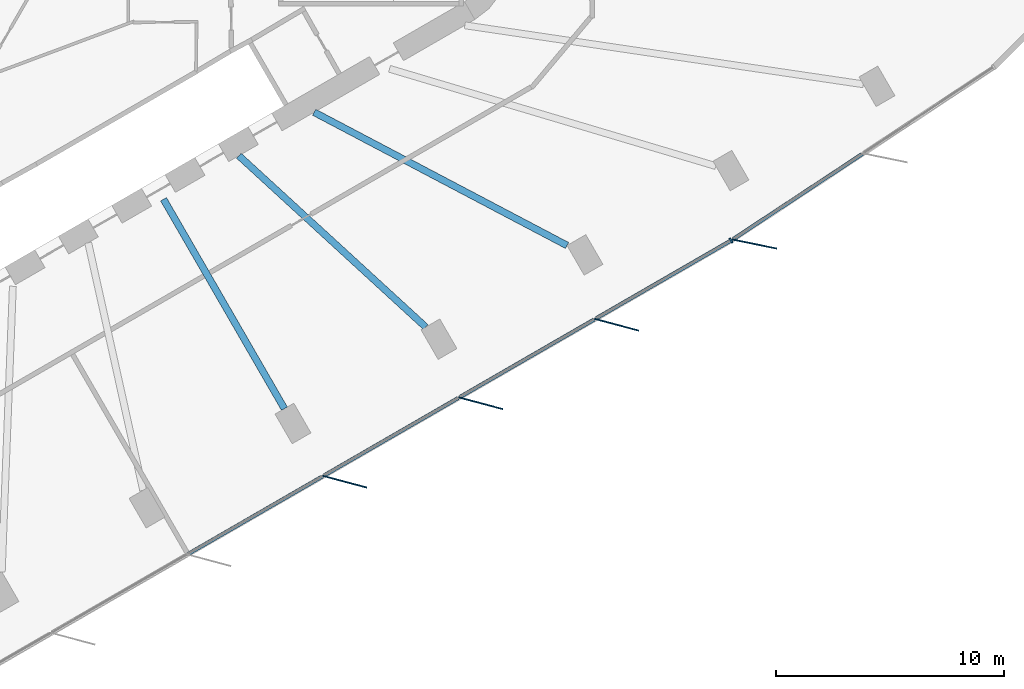
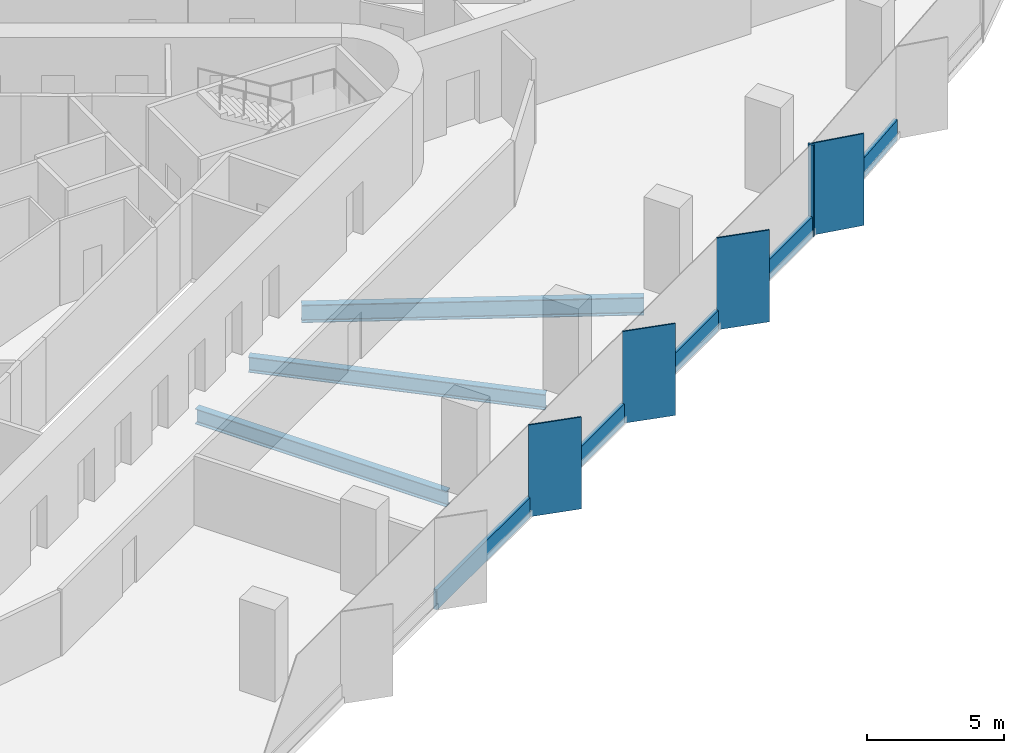
# One storey, part 3 of 14: 10 members, 3 beams, 2 elements without a shape of their own.
"""IFC4 building model written with IfcOpenShell, lengths in metres."""

from ifc_helpers import new_model, si_unit, direction, frame, origin, origin_2d, place, context, subcontext, project, spatial, rectangle, i_section, extrude, material, material_profile, profile_set, type_object, element, aggregate, save


model = new_model("IFC4")

# Units and contexts
model_context = context("Model", 3, precision=1e-05, world=origin(), true_north=direction((0.0, 1.0)))
body_context = subcontext(model_context, "Body", "Model", "MODEL_VIEW")
ifc_project = project(units=[si_unit("LENGTHUNIT", "METRE"), si_unit("AREAUNIT", "SQUARE_METRE"), si_unit("VOLUMEUNIT", "CUBIC_METRE"), si_unit("PLANEANGLEUNIT", "RADIAN"), si_unit("MASSUNIT", "GRAM", prefix="KILO")], contexts=[model_context])

# Site, building, storey
site_placement = place(None, origin())
site = spatial("IfcSite", under=ifc_project, at=site_placement, CompositionType="ELEMENT")
building_placement = place(site_placement, origin())
building = spatial("IfcBuilding", under=site, at=building_placement, Name="Tanit Gate Tower", CompositionType="ELEMENT")
storey_placement = place(building_placement, frame((0.0, 0.0, 49.60009765625)))
storey = spatial("IfcBuildingStorey", under=building, at=storey_placement, Name="L08", CompositionType="ELEMENT", Elevation=49.60009765625)

# Curtain wall, members
ifc_material_1 = material(Name="Aluminium bronze anodised and glass", Category="aluminium")
curtain_wall_type = type_object("IfcCurtainWallType", Name="Curtain wall typical low", PredefinedType="NOTDEFINED", material=ifc_material_1)
curtain_wall_1_placement = place(storey_placement, origin())
curtain_wall_1 = element("IfcCurtainWall", 1, at=curtain_wall_1_placement, inside=storey, type_object=curtain_wall_type, Name="Curtain wall L08 SE2", PredefinedType="NOTDEFINED")
ifc_material_2 = material(Name="Aluminium bronze anodised", Category="aluminium")
ifc_material_profile_1 = material_profile(ifc_material_2, rectangle(XDim=2.0, YDim=0.055908203125, at=origin_2d()), Name="56x2000 bronze fin mullion")
ifc_profile_set_1 = profile_set([ifc_material_profile_1], Name="Aluminium bronze anodised")
member_type_1 = type_object("IfcMemberType", Name="FIN MULLION 56x2000 bronze", PredefinedType="MULLION", material=ifc_profile_set_1)
member_1_placement = place(storey_placement, frame((13.998291015625, -22.863525390625, -0.300048828125), z_axis=(0.0, 0.0, 1.0), x_axis=(-0.965943770162, 0.25875206837, 0.0)))
member_1 = element("IfcMember", 2, at=member_1_placement, type_object=member_type_1, Name="Fin mullion L08 SE2.4", PredefinedType="MULLION", context=body_context, shape_type="SweptSolid", body=[
    extrude(rectangle(XDim=2.0, YDim=0.055908203125, at=origin_2d()), origin(), (0.0, 0.0, 1.0), 4.099853515625),
])
member_2_placement = place(storey_placement, frame((19.957763671875, -19.422119140625, -0.300048828125), z_axis=(0.0, 0.0, 1.0), x_axis=(-0.965943770162, 0.25875206837, 0.0)))
member_2 = element("IfcMember", 3, at=member_2_placement, type_object=member_type_1, Name="Fin mullion L08 SE2.5", PredefinedType="MULLION", context=body_context, shape_type="SweptSolid", body=[
    extrude(rectangle(XDim=2.0, YDim=0.055908203125, at=origin_2d()), origin(), (0.0, 0.0, 1.0), 4.099853515625),
])
member_3_placement = place(storey_placement, frame((25.91748046875, -15.98095703125, -0.300048828125), z_axis=(0.0, 0.0, 1.0), x_axis=(-0.965943770162, 0.25875206837, 0.0)))
member_3 = element("IfcMember", 4, at=member_3_placement, type_object=member_type_1, Name="Fin mullion L08 SE2.6", PredefinedType="MULLION", context=body_context, shape_type="SweptSolid", body=[
    extrude(rectangle(XDim=2.0, YDim=0.055908203125, at=origin_2d()), origin(), (0.0, 0.0, 1.0), 4.099853515625),
])

# Curtain wall, member
curtain_wall_2_placement = place(storey_placement, origin())
curtain_wall_2 = element("IfcCurtainWall", 5, at=curtain_wall_2_placement, inside=storey, type_object=curtain_wall_type, Name="Curtain wall L08 SE3", PredefinedType="NOTDEFINED")
member_4_placement = place(storey_placement, frame((31.958251953125, -12.44091796875, -0.300048828125), z_axis=(0.0, 0.0, 1.0), x_axis=(-0.979635285566, 0.200785226732, 0.0)))
member_4 = element("IfcMember", 6, at=member_4_placement, type_object=member_type_1, Name="Fin mullion L08 SE3.1", PredefinedType="MULLION", context=body_context, shape_type="SweptSolid", body=[
    extrude(rectangle(XDim=2.0, YDim=0.055908203125, at=origin_2d()), origin(), (0.0, 0.0, 1.0), 4.099853515625),
])

# Member
ifc_material_3 = material(Name="Aluminium bronze anodised", Category="aluminium")
ifc_material_profile_2 = material_profile(ifc_material_3, rectangle(XDim=0.239990234375, YDim=0.080078125, at=origin_2d()), Name="80x240 bronze mullion")
ifc_profile_set_2 = profile_set([ifc_material_profile_2], Name="Aluminium bronze anodised")
member_type_2 = type_object("IfcMemberType", Name="Mullion 80x240 typical low", PredefinedType="MULLION", material=ifc_profile_set_2)
member_5_placement = place(storey_placement, frame((30.932861328125, -12.28662109375, -0.300048828125), z_axis=(0.0, 0.0, 1.0), x_axis=(-0.500060047936, 0.865990732317, 0.0)))
member_5 = element("IfcMember", 7, at=member_5_placement, type_object=member_type_2, Name="Mullion L08 SE2.7", PredefinedType="MULLION", context=body_context, shape_type="SweptSolid", body=[
    extrude(rectangle(XDim=0.239990234375, YDim=0.080078125, at=origin_2d()), origin(), (0.0, 0.0, 1.0), 4.099853515625),
])

# Beams
ifc_material_4 = material(Name="Steel S355", Category="steel")
ifc_material_profile_3 = material_profile(ifc_material_4, i_section(OverallWidth=0.300048828125, OverallDepth=0.68994140625, WebThickness=0.014404296875, FlangeThickness=0.027099609375, FilletRadius=0.027099609375, at=origin_2d()), Name="HEA 700")
ifc_profile_set_3 = profile_set([ifc_material_profile_3], Name="Steel S355")
beam_type_1 = type_object("IfcBeamType", Name="RADIAL GIRDER HEA 700 S355", PredefinedType="BEAM", material=ifc_profile_set_3)
beam_1_placement = place(storey_placement, frame((11.351806640625, -19.661865234375, -0.64501953125), z_axis=(-0.500002863238, 0.866023750687, 0.0), x_axis=(-0.866023750687, -0.500002863238, 0.0)))
element("IfcBeam", 8, at=beam_1_placement, inside=storey, type_object=beam_type_1, Name="RADIAL GIRDER", PredefinedType="BEAM", context=body_context, shape_type="SweptSolid", body=[
    extrude(i_section(OverallWidth=0.300048828125, OverallDepth=0.68994140625, WebThickness=0.014404296875, FlangeThickness=0.027099609375, FilletRadius=0.027099609375, at=origin_2d()), origin(), (0.0, 0.0, 1.0), 10.6015625),
])
beam_2_placement = place(storey_placement, frame((17.548095703125, -16.084228515625, -0.64501953125), z_axis=(-0.737176932587, 0.675699763254, 0.0), x_axis=(-0.675699763254, -0.737176932587, 0.0)))
element("IfcBeam", 9, at=beam_2_placement, inside=storey, type_object=beam_type_1, Name="RADIAL GIRDER", PredefinedType="BEAM", context=body_context, shape_type="SweptSolid", body=[
    extrude(i_section(OverallWidth=0.300048828125, OverallDepth=0.68994140625, WebThickness=0.014404296875, FlangeThickness=0.027099609375, FilletRadius=0.027099609375, at=origin_2d()), origin(), (0.0, 0.0, 1.0), 11.115478515625),
])
ifc_material_5 = material(Name="Steel S355", Category="steel")
ifc_material_profile_4 = material_profile(ifc_material_5, i_section(OverallWidth=0.300048828125, OverallDepth=0.7900390625, WebThickness=0.014892578125, FlangeThickness=0.028076171875, FilletRadius=0.030029296875, at=origin_2d()), Name="HEA 800")
ifc_profile_set_4 = profile_set([ifc_material_profile_4], Name="Steel S355")
beam_type_2 = type_object("IfcBeamType", Name="RADIAL GIRDER HEA 800 S355", PredefinedType="BEAM", material=ifc_profile_set_4)
beam_3_placement = place(storey_placement, frame((23.74462890625, -12.506591796875, -0.695068359375), z_axis=(-0.884770690276, 0.466026636179, 0.0), x_axis=(-0.466026636179, -0.884770690276, 0.0)))
element("IfcBeam", 10, at=beam_3_placement, inside=storey, type_object=beam_type_2, Name="RADIAL GIRDER", PredefinedType="BEAM", context=body_context, shape_type="SweptSolid", body=[
    extrude(i_section(OverallWidth=0.300048828125, OverallDepth=0.7900390625, WebThickness=0.014892578125, FlangeThickness=0.028076171875, FilletRadius=0.030029296875, at=origin_2d()), origin(), (0.0, 0.0, 1.0), 12.53173828125),
])

# Member
ifc_material_6 = material(Name="Aluminium bronze anodised", Category="aluminium")
ifc_material_profile_5 = material_profile(ifc_material_6, rectangle(XDim=0.159912109375, YDim=0.89990234375, at=origin_2d()), Name="160x900 bronze transom")
ifc_profile_set_5 = profile_set([ifc_material_profile_5], Name="Aluminium bronze anodised")
member_type_3 = type_object("IfcMemberType", Name="Transom 160x900 typical low", PredefinedType="USERDEFINED", material=ifc_profile_set_5)
member_6_placement = place(storey_placement, frame((7.12939453125, -26.03173828125, 0.14990234375), z_axis=(0.865996688351, 0.500049733292, 0.0), x_axis=(-0.500049733292, 0.865996688351, 0.0)))
member_6 = element("IfcMember", 11, at=member_6_placement, type_object=member_type_3, Name="Transom L08 SE2.3", ObjectType="TRANSOM", PredefinedType="USERDEFINED", context=body_context, shape_type="SweptSolid", body=[
    extrude(rectangle(XDim=0.159912109375, YDim=0.89990234375, at=origin_2d()), origin(), (0.0, 0.0, 1.0), 6.801513671875),
])

member_7_placement = place(storey_placement, frame((13.0888671875, -22.590576171875, 0.14990234375), z_axis=(0.865981144299, 0.500076651843, 0.0), x_axis=(-0.500076651843, 0.865981144299, 0.0)))
member_7 = element("IfcMember", 12, at=member_7_placement, type_object=member_type_3, Name="Transom L08 SE2.4", ObjectType="TRANSOM", PredefinedType="USERDEFINED", context=body_context, shape_type="SweptSolid", body=[
    extrude(rectangle(XDim=0.159912109375, YDim=0.89990234375, at=origin_2d()), origin(), (0.0, 0.0, 1.0), 6.8017578125),
])

member_8_placement = place(storey_placement, frame((19.04833984375, -19.149169921875, 0.14990234375), z_axis=(0.866005663404, 0.500034189783, 0.0), x_axis=(-0.500034189783, 0.866005663404, 0.0)))
member_8 = element("IfcMember", 13, at=member_8_placement, type_object=member_type_3, Name="Transom L08 SE2.5", ObjectType="TRANSOM", PredefinedType="USERDEFINED", context=body_context, shape_type="SweptSolid", body=[
    extrude(rectangle(XDim=0.159912109375, YDim=0.89990234375, at=origin_2d()), origin(), (0.0, 0.0, 1.0), 6.8017578125),
])

member_9_placement = place(storey_placement, frame((25.0078125, -15.7080078125, 0.14990234375), z_axis=(0.865990120158, 0.500061108055, 0.0), x_axis=(-0.500061108055, 0.865990120158, 0.0)))
member_9 = element("IfcMember", 14, at=member_9_placement, type_object=member_type_3, Name="Transom L08 SE2.6", ObjectType="TRANSOM", PredefinedType="USERDEFINED", context=body_context, shape_type="SweptSolid", body=[
    extrude(rectangle(XDim=0.159912109375, YDim=0.89990234375, at=origin_2d()), origin(), (0.0, 0.0, 1.0), 6.802001953125),
])

aggregate(curtain_wall_1, [member_1, member_2, member_3, member_5, member_6, member_7, member_8, member_9])

member_10_placement = place(storey_placement, frame((31.0341796875, -12.22265625, 0.14990234375), z_axis=(0.834688519211, 0.550722321953, 0.0), x_axis=(-0.550722321953, 0.834688519211, 0.0)))
member_10 = element("IfcMember", 15, at=member_10_placement, type_object=member_type_3, Name="Transom L08 SE3.1", ObjectType="TRANSOM", PredefinedType="USERDEFINED", context=body_context, shape_type="SweptSolid", body=[
    extrude(rectangle(XDim=0.159912109375, YDim=0.89990234375, at=origin_2d()), origin(), (0.0, 0.0, 1.0), 6.78076171875),
])

aggregate(curtain_wall_2, [member_4, member_10])

save(model, "model.ifc")
